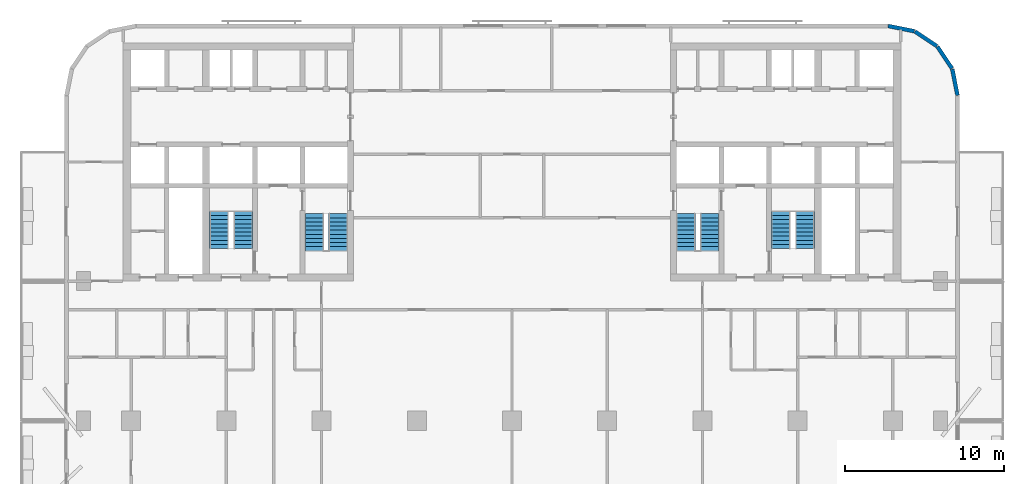
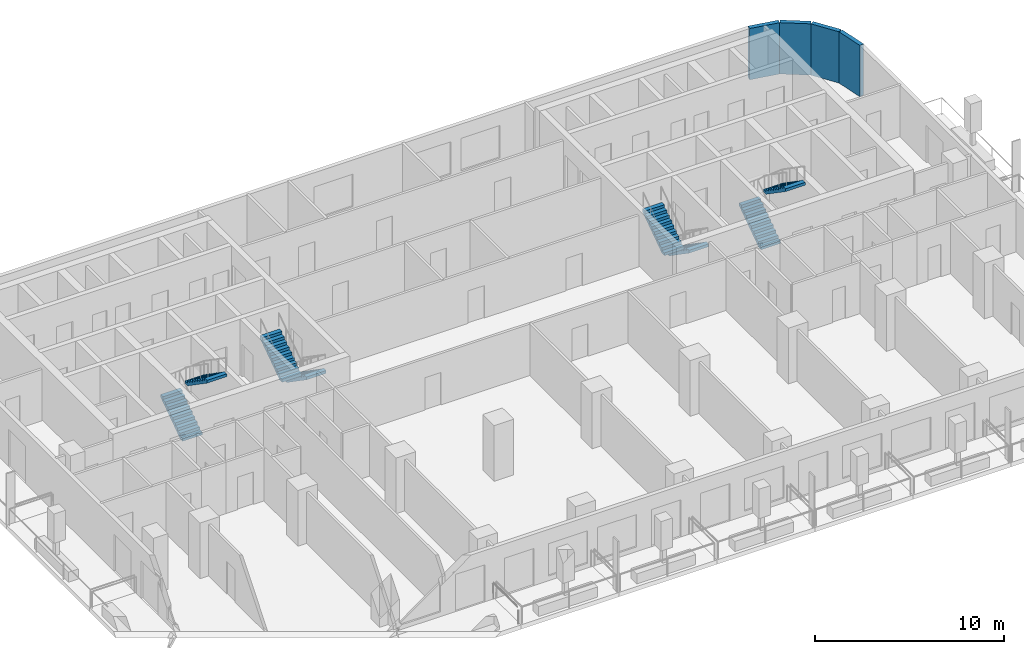
# One storey, part 8 of 12: 8 stair flights, 4 walls, 4 elements without a shape of their own.
"""IFC4 building model written with IfcOpenShell, lengths in metres."""

from ifc_helpers import new_model, si_unit, direction, frame, frame_2d, origin, place, context, subcontext, project, spatial, polyline, rectangle, outline, extrude, material, layer, layer_set, type_object, element, aggregate, save


model = new_model("IFC4")

# Units and contexts
model_context = context("Model", 3, precision=1e-05, world=origin(), true_north=direction((0.0, 1.0)))
body_context = subcontext(model_context, "Body", "Model", "MODEL_VIEW")
ifc_project = project(units=[si_unit("LENGTHUNIT", "METRE"), si_unit("AREAUNIT", "SQUARE_METRE"), si_unit("VOLUMEUNIT", "CUBIC_METRE"), si_unit("PLANEANGLEUNIT", "RADIAN"), si_unit("MASSUNIT", "GRAM", prefix="KILO")], contexts=[model_context])

# Site, building, storey
site_placement = place(None, origin())
site = spatial("IfcSite", under=ifc_project, at=site_placement, CompositionType="ELEMENT")
building_placement = place(site_placement, origin())
building = spatial("IfcBuilding", under=site, at=building_placement, Name="Torana Hotel and Residences", CompositionType="ELEMENT")
storey_placement = place(building_placement, frame((0.0, 0.0, 112.800048828125)))
storey = spatial("IfcBuildingStorey", under=building, at=storey_placement, Name="L28", CompositionType="ELEMENT", Elevation=112.800048828125)

# Walls
ifc_material_1 = material(Name="Black aluminium composite panel", Category="aluminium")
ifc_layer_1 = layer(ifc_material_1, 0.00390625, Name="Cladding", Category="cladding")
ifc_material_2 = material(Name="Ventilated air cavity")
ifc_layer_2 = layer(ifc_material_2, 0.0400390625, Name="Ventilated cavity", Category="cavity")
ifc_material_3 = material(Name="Mineral wool insulation")
ifc_layer_3 = layer(ifc_material_3, 0.090087890625, Name="Insulation", Category="insulation")
ifc_material_4 = material(Name="Steel S280GD", Category="steel")
ifc_layer_4 = layer(ifc_material_4, 0.092041015625, Name="Steel stud frame", Category="structure")
ifc_material_5 = material(Name="Fire rated plasterboard")
ifc_layer_5 = layer(ifc_material_5, 0.011962890625, Name="Inner board", Category="finish")
ifc_layer_6 = layer(ifc_material_5, 0.011962890625, Name="Second board", Category="finish")
ifc_layer_set = layer_set([ifc_layer_1, ifc_layer_2, ifc_layer_3, ifc_layer_4, ifc_layer_5, ifc_layer_6], Name="EW1 EXTERNAL WALL BLACK METAL CLAD 250")
wall_type = type_object("IfcWallType", Name="EW1 EXTERNAL WALL BLACK METAL CLAD 250", PredefinedType="SOLIDWALL", material=ifc_layer_set)
wall_1_placement = place(storey_placement, frame((28.072509765625, -3.30029296875, 0.0), z_axis=(0.0, 0.0, 1.0), x_axis=(-0.194999110559, 0.980803419081, 0.0)))
element("IfcWall", 1, at=wall_1_placement, inside=storey, type_object=wall_type, Name="External wall L28 e0.0", PredefinedType="SOLIDWALL", context=body_context, shape_type="SweptSolid", body=[
    extrude(rectangle(XDim=1.681396484375, YDim=0.25, at=frame_2d((0.8408203125, 0.0))), origin(), (0.0, 0.0, 1.0), 3.320068359375),
])
for number, where, z_axis, x_axis, name in (
    (2, (27.725830078125, -1.60595703125, 0.0), (0.0, 0.0, 1.0), (-0.55555029066, 0.831482937015, 0.0), "External wall L28 e0.1"),
    (3, (26.771240234375, -0.1943359375, 0.0), (0.0, 0.0, 1.0), (-0.831482937015, 0.55555029066, 0.0), "External wall L28 e0.2"),
):
    element("IfcWall", number, at=place(storey_placement, frame(where, z_axis=z_axis, x_axis=x_axis)), inside=storey, type_object=wall_type, Name=name, PredefinedType="SOLIDWALL", context=body_context, shape_type="SweptSolid", body=[
        extrude(rectangle(XDim=1.65625, YDim=0.25, at=frame_2d((0.828125, 0.0))), origin(), (0.0, 0.0, 1.0), 3.320068359375),
    ])
wall_2_placement = place(storey_placement, frame((25.348876953125, 0.74462890625, 0.0), z_axis=(0.0, 0.0, 1.0), x_axis=(-0.980803419081, 0.194999110559, 0.0)))
element("IfcWall", 4, at=wall_2_placement, inside=storey, type_object=wall_type, Name="External wall L28 e0.3", PredefinedType="SOLIDWALL", context=body_context, shape_type="SweptSolid", body=[
    extrude(rectangle(XDim=1.681396484375, YDim=0.25, at=frame_2d((0.8408203125, 0.0))), origin(), (0.0, 0.0, 1.0), 3.320068359375),
])

# Stair, stair flights
ifc_material_6 = material(Name="Concrete C40/50 precast", Category="concrete")
stair_type_1 = type_object("IfcStairType", Name="STAIR ST1 HALF TURN 1200", PredefinedType="HALF_TURN_STAIR", material=ifc_material_6)
stair_1_placement = place(storey_placement, origin())
stair_1 = element("IfcStair", 5, at=stair_1_placement, inside=storey, type_object=stair_type_1, Name="Stair ST1 L28", PredefinedType="HALF_TURN_STAIR")
ifc_material_7 = material(Name="Concrete C40/50 precast", Category="concrete")
stair_flight_type = type_object("IfcStairFlightType", Name="STAIR FLIGHT 1200 PRECAST", PredefinedType="STRAIGHT", material=ifc_material_7)
stair_flight_1_placement = place(storey_placement, frame((-10.949951171875, -10.75, 0.0), z_axis=(0.0, 0.0, 1.0), x_axis=(0.0, -1.0, 0.0)))
stair_flight_1 = element("IfcStairFlight", 6, at=stair_flight_1_placement, type_object=stair_flight_type, Name="ST1 flight 1", NumberOfRisers=10, NumberOfTreads=9, PredefinedType="STRAIGHT", RiserHeight=0.18, TreadLength=0.26, context=body_context, shape_type="SweptSolid", body=[
    extrude(outline(polyline([(0.0, 0.0), (0.0, 0.179931640625), (0.260009765625, 0.179931640625), (0.260009765625, 0.360107421875), (0.52001953125, 0.360107421875), (0.52001953125, 0.5400390625), (0.780029296875, 0.5400390625), (0.780029296875, 0.719970703125), (1.0400390625, 0.719970703125), (1.0400390625, 0.89990234375), (1.300048828125, 0.89990234375), (1.300048828125, 1.080078125), (1.56005859375, 1.080078125), (1.56005859375, 1.260009765625), (1.820068359375, 1.260009765625), (1.820068359375, 1.43994140625), (2.080078125, 1.43994140625), (2.080078125, 1.6201171875), (2.340087890625, 1.6201171875), (2.340087890625, 1.800048828125), (2.340087890625, 1.437744140625), (0.263427734375, 0.0), (0.0, 0.0)])), frame((0.0, 0.60009765625, 0.0), z_axis=(0.0, -1.0, 0.0), x_axis=(1.0, 0.0, 0.0)), (0.0, 0.0, 1.0), 1.199951171875),
])
stair_flight_2_placement = place(storey_placement, frame((-12.449951171875, -13.090087890625, 1.800048828125), z_axis=(0.0, 0.0, 1.0), x_axis=(0.0, 1.0, 0.0)))
stair_flight_2 = element("IfcStairFlight", 7, at=stair_flight_2_placement, type_object=stair_flight_type, Name="ST1 flight 2", NumberOfRisers=10, NumberOfTreads=9, PredefinedType="STRAIGHT", RiserHeight=0.18, TreadLength=0.26, context=body_context, shape_type="SweptSolid", body=[
    extrude(outline(polyline([(0.0, 0.0), (0.0, 0.179931640625), (0.260009765625, 0.179931640625), (0.260009765625, 0.360107421875), (0.52001953125, 0.360107421875), (0.52001953125, 0.5400390625), (0.780029296875, 0.5400390625), (0.780029296875, 0.719970703125), (1.0400390625, 0.719970703125), (1.0400390625, 0.89990234375), (1.300048828125, 0.89990234375), (1.300048828125, 1.080078125), (1.56005859375, 1.080078125), (1.56005859375, 1.260009765625), (1.820068359375, 1.260009765625), (1.820068359375, 1.43994140625), (2.080078125, 1.43994140625), (2.080078125, 1.6201171875), (2.340087890625, 1.6201171875), (2.340087890625, 1.800048828125), (2.340087890625, 1.437744140625), (0.263427734375, 0.0), (0.0, 0.0)])), frame((0.0, 0.60009765625, 0.0), z_axis=(0.0, -1.0, 0.0), x_axis=(1.0, 0.0, 0.0)), (0.0, 0.0, 1.0), 1.199951171875),
])
aggregate(stair_1, [stair_flight_1, stair_flight_2])

ifc_material_8 = material(Name="Concrete C40/50 precast", Category="concrete")
stair_type_2 = type_object("IfcStairType", Name="STAIR ST2 HALF TURN 1200", PredefinedType="HALF_TURN_STAIR", material=ifc_material_8)
stair_2_placement = place(storey_placement, origin())
stair_2 = element("IfcStair", 8, at=stair_2_placement, inside=storey, type_object=stair_type_2, Name="Stair ST2 L28", PredefinedType="HALF_TURN_STAIR")
stair_flight_3_placement = place(storey_placement, frame((-18.449951171875, -12.949951171875, 0.0), z_axis=(0.0, 0.0, 1.0), x_axis=(0.0, 1.0, 0.0)))
stair_flight_3 = element("IfcStairFlight", 9, at=stair_flight_3_placement, type_object=stair_flight_type, Name="ST2 flight 1", NumberOfRisers=10, NumberOfTreads=9, PredefinedType="STRAIGHT", RiserHeight=0.18, TreadLength=0.26, context=body_context, shape_type="SweptSolid", body=[
    extrude(outline(polyline([(0.0, 0.0), (0.0, 0.179931640625), (0.260009765625, 0.179931640625), (0.260009765625, 0.360107421875), (0.52001953125, 0.360107421875), (0.52001953125, 0.5400390625), (0.780029296875, 0.5400390625), (0.780029296875, 0.719970703125), (1.0400390625, 0.719970703125), (1.0400390625, 0.89990234375), (1.300048828125, 0.89990234375), (1.300048828125, 1.080078125), (1.56005859375, 1.080078125), (1.56005859375, 1.260009765625), (1.820068359375, 1.260009765625), (1.820068359375, 1.43994140625), (2.080078125, 1.43994140625), (2.080078125, 1.6201171875), (2.340087890625, 1.6201171875), (2.340087890625, 1.800048828125), (2.340087890625, 1.437744140625), (0.263427734375, 0.0), (0.0, 0.0)])), frame((0.0, 0.60009765625, 0.0), z_axis=(0.0, -1.0, 0.0), x_axis=(1.0, 0.0, 0.0)), (0.0, 0.0, 1.0), 1.199951171875),
])
stair_flight_4_placement = place(storey_placement, frame((-16.949951171875, -10.610107421875, 1.800048828125), z_axis=(0.0, 0.0, 1.0), x_axis=(0.0, -1.0, 0.0)))
stair_flight_4 = element("IfcStairFlight", 10, at=stair_flight_4_placement, type_object=stair_flight_type, Name="ST2 flight 2", NumberOfRisers=10, NumberOfTreads=9, PredefinedType="STRAIGHT", RiserHeight=0.18, TreadLength=0.26, context=body_context, shape_type="SweptSolid", body=[
    extrude(outline(polyline([(0.0, 0.0), (0.0, 0.179931640625), (0.260009765625, 0.179931640625), (0.260009765625, 0.360107421875), (0.52001953125, 0.360107421875), (0.52001953125, 0.5400390625), (0.780029296875, 0.5400390625), (0.780029296875, 0.719970703125), (1.0400390625, 0.719970703125), (1.0400390625, 0.89990234375), (1.300048828125, 0.89990234375), (1.300048828125, 1.080078125), (1.56005859375, 1.080078125), (1.56005859375, 1.260009765625), (1.820068359375, 1.260009765625), (1.820068359375, 1.43994140625), (2.080078125, 1.43994140625), (2.080078125, 1.6201171875), (2.340087890625, 1.6201171875), (2.340087890625, 1.800048828125), (2.340087890625, 1.437744140625), (0.263427734375, 0.0), (0.0, 0.0)])), frame((0.0, 0.60009765625, 0.0), z_axis=(0.0, -1.0, 0.0), x_axis=(1.0, 0.0, 0.0)), (0.0, 0.0, 1.0), 1.199951171875),
])
aggregate(stair_2, [stair_flight_3, stair_flight_4])

ifc_material_9 = material(Name="Concrete C40/50 precast", Category="concrete")
stair_type_3 = type_object("IfcStairType", Name="STAIR ST3 HALF TURN 1200", PredefinedType="HALF_TURN_STAIR", material=ifc_material_9)
stair_3_placement = place(storey_placement, origin())
stair_3 = element("IfcStair", 11, at=stair_3_placement, inside=storey, type_object=stair_type_3, Name="Stair ST3 L28", PredefinedType="HALF_TURN_STAIR")
stair_flight_5_placement = place(storey_placement, frame((12.449951171875, -10.75, 0.0), z_axis=(0.0, 0.0, 1.0), x_axis=(0.0, -1.0, 0.0)))
stair_flight_5 = element("IfcStairFlight", 12, at=stair_flight_5_placement, type_object=stair_flight_type, Name="ST3 flight 1", NumberOfRisers=10, NumberOfTreads=9, PredefinedType="STRAIGHT", RiserHeight=0.18, TreadLength=0.26, context=body_context, shape_type="SweptSolid", body=[
    extrude(outline(polyline([(0.0, 0.0), (0.0, 0.179931640625), (0.260009765625, 0.179931640625), (0.260009765625, 0.360107421875), (0.52001953125, 0.360107421875), (0.52001953125, 0.5400390625), (0.780029296875, 0.5400390625), (0.780029296875, 0.719970703125), (1.0400390625, 0.719970703125), (1.0400390625, 0.89990234375), (1.300048828125, 0.89990234375), (1.300048828125, 1.080078125), (1.56005859375, 1.080078125), (1.56005859375, 1.260009765625), (1.820068359375, 1.260009765625), (1.820068359375, 1.43994140625), (2.080078125, 1.43994140625), (2.080078125, 1.6201171875), (2.340087890625, 1.6201171875), (2.340087890625, 1.800048828125), (2.340087890625, 1.437744140625), (0.263427734375, 0.0), (0.0, 0.0)])), frame((0.0, 0.60009765625, 0.0), z_axis=(0.0, -1.0, 0.0), x_axis=(1.0, 0.0, 0.0)), (0.0, 0.0, 1.0), 1.199951171875),
])
stair_flight_6_placement = place(storey_placement, frame((10.949951171875, -13.090087890625, 1.800048828125), z_axis=(0.0, 0.0, 1.0), x_axis=(0.0, 1.0, 0.0)))
stair_flight_6 = element("IfcStairFlight", 13, at=stair_flight_6_placement, type_object=stair_flight_type, Name="ST3 flight 2", NumberOfRisers=10, NumberOfTreads=9, PredefinedType="STRAIGHT", RiserHeight=0.18, TreadLength=0.26, context=body_context, shape_type="SweptSolid", body=[
    extrude(outline(polyline([(0.0, 0.0), (0.0, 0.179931640625), (0.260009765625, 0.179931640625), (0.260009765625, 0.360107421875), (0.52001953125, 0.360107421875), (0.52001953125, 0.5400390625), (0.780029296875, 0.5400390625), (0.780029296875, 0.719970703125), (1.0400390625, 0.719970703125), (1.0400390625, 0.89990234375), (1.300048828125, 0.89990234375), (1.300048828125, 1.080078125), (1.56005859375, 1.080078125), (1.56005859375, 1.260009765625), (1.820068359375, 1.260009765625), (1.820068359375, 1.43994140625), (2.080078125, 1.43994140625), (2.080078125, 1.6201171875), (2.340087890625, 1.6201171875), (2.340087890625, 1.800048828125), (2.340087890625, 1.437744140625), (0.263427734375, 0.0), (0.0, 0.0)])), frame((0.0, 0.60009765625, 0.0), z_axis=(0.0, -1.0, 0.0), x_axis=(1.0, 0.0, 0.0)), (0.0, 0.0, 1.0), 1.199951171875),
])
aggregate(stair_3, [stair_flight_5, stair_flight_6])

ifc_material_10 = material(Name="Concrete C40/50 precast", Category="concrete")
stair_type_4 = type_object("IfcStairType", Name="STAIR ST4 HALF TURN 1200", PredefinedType="HALF_TURN_STAIR", material=ifc_material_10)
stair_4_placement = place(storey_placement, origin())
stair_4 = element("IfcStair", 14, at=stair_4_placement, inside=storey, type_object=stair_type_4, Name="Stair ST4 L28", PredefinedType="HALF_TURN_STAIR")
stair_flight_7_placement = place(storey_placement, frame((16.949951171875, -12.949951171875, 0.0), z_axis=(0.0, 0.0, 1.0), x_axis=(0.0, 1.0, 0.0)))
stair_flight_7 = element("IfcStairFlight", 15, at=stair_flight_7_placement, type_object=stair_flight_type, Name="ST4 flight 1", NumberOfRisers=10, NumberOfTreads=9, PredefinedType="STRAIGHT", RiserHeight=0.18, TreadLength=0.26, context=body_context, shape_type="SweptSolid", body=[
    extrude(outline(polyline([(0.0, 0.0), (0.0, 0.179931640625), (0.260009765625, 0.179931640625), (0.260009765625, 0.360107421875), (0.52001953125, 0.360107421875), (0.52001953125, 0.5400390625), (0.780029296875, 0.5400390625), (0.780029296875, 0.719970703125), (1.0400390625, 0.719970703125), (1.0400390625, 0.89990234375), (1.300048828125, 0.89990234375), (1.300048828125, 1.080078125), (1.56005859375, 1.080078125), (1.56005859375, 1.260009765625), (1.820068359375, 1.260009765625), (1.820068359375, 1.43994140625), (2.080078125, 1.43994140625), (2.080078125, 1.6201171875), (2.340087890625, 1.6201171875), (2.340087890625, 1.800048828125), (2.340087890625, 1.437744140625), (0.263427734375, 0.0), (0.0, 0.0)])), frame((0.0, 0.60009765625, 0.0), z_axis=(0.0, -1.0, 0.0), x_axis=(1.0, 0.0, 0.0)), (0.0, 0.0, 1.0), 1.199951171875),
])
stair_flight_8_placement = place(storey_placement, frame((18.449951171875, -10.610107421875, 1.800048828125), z_axis=(0.0, 0.0, 1.0), x_axis=(0.0, -1.0, 0.0)))
stair_flight_8 = element("IfcStairFlight", 16, at=stair_flight_8_placement, type_object=stair_flight_type, Name="ST4 flight 2", NumberOfRisers=10, NumberOfTreads=9, PredefinedType="STRAIGHT", RiserHeight=0.18, TreadLength=0.26, context=body_context, shape_type="SweptSolid", body=[
    extrude(outline(polyline([(0.0, 0.0), (0.0, 0.179931640625), (0.260009765625, 0.179931640625), (0.260009765625, 0.360107421875), (0.52001953125, 0.360107421875), (0.52001953125, 0.5400390625), (0.780029296875, 0.5400390625), (0.780029296875, 0.719970703125), (1.0400390625, 0.719970703125), (1.0400390625, 0.89990234375), (1.300048828125, 0.89990234375), (1.300048828125, 1.080078125), (1.56005859375, 1.080078125), (1.56005859375, 1.260009765625), (1.820068359375, 1.260009765625), (1.820068359375, 1.43994140625), (2.080078125, 1.43994140625), (2.080078125, 1.6201171875), (2.340087890625, 1.6201171875), (2.340087890625, 1.800048828125), (2.340087890625, 1.437744140625), (0.263427734375, 0.0), (0.0, 0.0)])), frame((0.0, 0.60009765625, 0.0), z_axis=(0.0, -1.0, 0.0), x_axis=(1.0, 0.0, 0.0)), (0.0, 0.0, 1.0), 1.199951171875),
])
aggregate(stair_4, [stair_flight_7, stair_flight_8])

save(model, "model.ifc")
